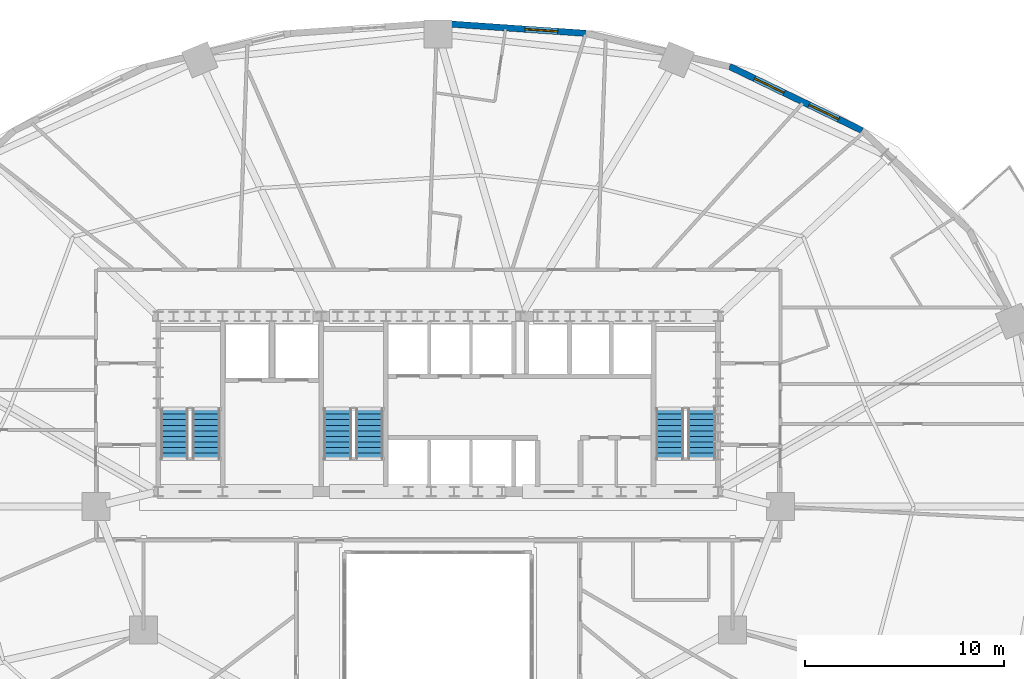
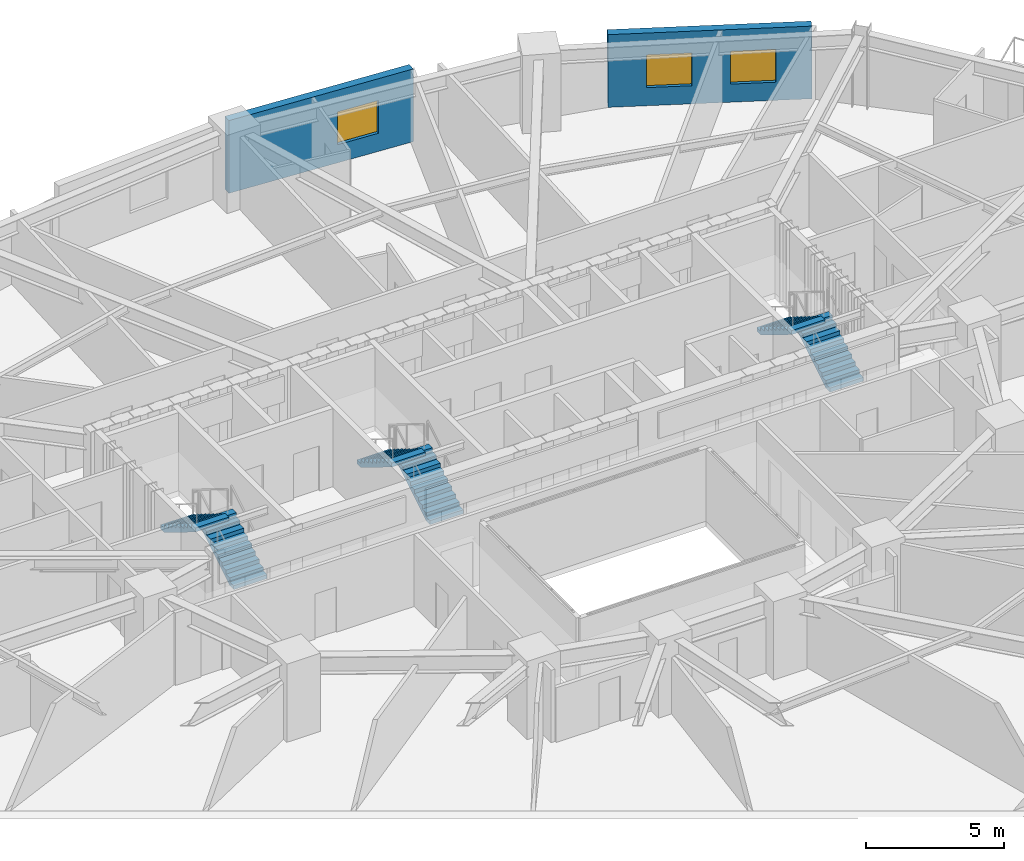
# One storey, part 14 of 18: 6 stair flights, 3 windows, 2 walls, 3 openings, 3 elements without a shape of their own.
"""IFC4 building model written with IfcOpenShell, lengths in metres."""

from ifc_helpers import new_model, si_unit, direction, frame, frame_2d, origin, place, context, subcontext, project, spatial, polyline, rectangle, outline, extrude, material, layer, layer_set, type_object, element, fill, aggregate, save


model = new_model("IFC4")

# Units and contexts
model_context = context("Model", 3, precision=1e-05, world=origin(), true_north=direction((0.0, 1.0)))
body_context = subcontext(model_context, "Body", "Model", "MODEL_VIEW")
ifc_project = project(units=[si_unit("LENGTHUNIT", "METRE"), si_unit("AREAUNIT", "SQUARE_METRE"), si_unit("VOLUMEUNIT", "CUBIC_METRE"), si_unit("PLANEANGLEUNIT", "RADIAN"), si_unit("MASSUNIT", "GRAM", prefix="KILO")], contexts=[model_context])

# Site, building, storey
site_placement = place(None, origin())
site = spatial("IfcSite", under=ifc_project, at=site_placement, CompositionType="ELEMENT")
building_placement = place(site_placement, origin())
building = spatial("IfcBuilding", under=site, at=building_placement, Name="Haldorwick Loom Tower", CompositionType="ELEMENT")
storey_placement = place(building_placement, frame((0.0, 0.0, 48.14990234375)))
storey = spatial("IfcBuildingStorey", under=building, at=storey_placement, Name="L12", CompositionType="ELEMENT", Elevation=48.14990234375)

# Wall, openings, windows
ifc_material_1 = material(Name="Pressed Clay Face Brick and Insulated Masonry Backup Assembly", Category="masonry")
ifc_layer = layer(ifc_material_1, 0.320068359375, Name="Pressed Clay Face Brick and Insulated Masonry Backup Assembly", Category="masonry")
ifc_layer_set = layer_set([ifc_layer], Name="Pressed Clay Face Brick and Insulated Masonry Backup Assembly")
wall_type = type_object("IfcWallType", Name="ARC-WL-EXT320", PredefinedType="STANDARD", material=ifc_layer_set)
wall_1_placement = place(storey_placement, frame((57.30419921875, 44.89599609375, 0.0), z_axis=(0.0, 0.0, 1.0), x_axis=(-0.900295710431, 0.435278800057, 0.0)))
wall_1 = element("IfcWall", 1, at=wall_1_placement, inside=storey, type_object=wall_type, Name="L12 Brick Pier and Spandrel Wall 4", PredefinedType="STANDARD", context=body_context, shape_type="SweptSolid", body=[
    extrude(rectangle(XDim=7.39697265625, YDim=0.320068359375, at=frame_2d((3.698486328125, 0.0))), origin(), (0.0, 0.0, 1.0), 3.210205078125),
])
opening_1_placement = place(wall_1_placement, frame((1.30517578125, 0.0, 0.800048828125)))
opening_1 = element("IfcOpeningElement", 2, at=opening_1_placement, cuts=wall_1, Name="Opening W-01B", PredefinedType="OPENING", context=body_context, shape_type="SweptSolid", body=[
    extrude(rectangle(XDim=1.64990234375, YDim=1.449951171875, at=frame_2d((0.824951171875, 0.72509765625))), frame((0.0, 0.169921875, 0.0), z_axis=(0.0, -1.0, 0.0), x_axis=(1.0, 0.0, 0.0)), (0.0, 0.0, 1.0), 0.340087890625),
])
opening_2_placement = place(wall_1_placement, frame((4.352783203125, 0.0, 0.800048828125)))
opening_2 = element("IfcOpeningElement", 3, at=opening_2_placement, cuts=wall_1, Name="Opening W-01B", PredefinedType="OPENING", context=body_context, shape_type="SweptSolid", body=[
    extrude(rectangle(XDim=1.64990234375, YDim=1.449951171875, at=frame_2d((0.824951171875, 0.72509765625))), frame((0.0, 0.169921875, 0.0), z_axis=(0.0, -1.0, 0.0), x_axis=(1.0, 0.0, 0.0)), (0.0, 0.0, 1.0), 0.340087890625),
])
ifc_material_2 = material(Name="Triple-Glazed Low-E Argon Insulated Glazing Unit", Category="glass")
window_type = type_object("IfcWindowType", Name="ARC-WIN-W165", PartitioningType="SINGLE_PANEL", PredefinedType="WINDOW", material=ifc_material_2)
window_1_placement = place(opening_1_placement, origin())
window_1 = element("IfcWindow", 4, at=window_1_placement, inside=storey, type_object=window_type, Name="L12 Deep-Set Zone 7A Window 4", OverallHeight=1.449951171875, OverallWidth=1.64990234375, PartitioningType="SINGLE_PANEL", PredefinedType="WINDOW", context=body_context, shape_type="SweptSolid", body=[
    extrude(rectangle(XDim=1.64990234375, YDim=1.449951171875, at=frame_2d((0.824951171875, 0.72509765625))), frame((0.0, 0.030029296875, 0.0), z_axis=(0.0, -1.0, 0.0), x_axis=(1.0, 0.0, 0.0)), (0.0, 0.0, 1.0), 0.06005859375),
])
fill(opening_1, window_1)
window_2_placement = place(opening_2_placement, origin())
window_2 = element("IfcWindow", 5, at=window_2_placement, inside=storey, type_object=window_type, Name="L12 Deep-Set Zone 7A Window 4", OverallHeight=1.449951171875, OverallWidth=1.64990234375, PartitioningType="SINGLE_PANEL", PredefinedType="WINDOW", context=body_context, shape_type="SweptSolid", body=[
    extrude(rectangle(XDim=1.64990234375, YDim=1.449951171875, at=frame_2d((0.824951171875, 0.72509765625))), frame((0.0, 0.030029296875, 0.0), z_axis=(0.0, -1.0, 0.0), x_axis=(1.0, 0.0, 0.0)), (0.0, 0.0, 1.0), 0.06005859375),
])
fill(opening_2, window_2)

# Wall, opening, window
wall_2_placement = place(storey_placement, frame((43.411376953125, 49.780517578125, 0.0), z_axis=(0.0, 0.0, 1.0), x_axis=(-0.997645161917, 0.068586667092, 0.0)))
wall_2 = element("IfcWall", 6, at=wall_2_placement, inside=storey, type_object=wall_type, Name="L12 Brick Pier and Spandrel Wall 6", PredefinedType="STANDARD", context=body_context, shape_type="SweptSolid", body=[
    extrude(rectangle(XDim=7.428955078125, YDim=0.320068359375, at=frame_2d((3.71435546875, 0.0))), origin(), (0.0, 0.0, 1.0), 3.210205078125),
])
opening_3_placement = place(wall_2_placement, frame((1.403564453125, 0.0, 0.800048828125)))
opening_3 = element("IfcOpeningElement", 7, at=opening_3_placement, cuts=wall_2, Name="Opening W-01B", PredefinedType="OPENING", context=body_context, shape_type="SweptSolid", body=[
    extrude(rectangle(XDim=1.64990234375, YDim=1.449951171875, at=frame_2d((0.824951171875, 0.72509765625))), frame((0.0, 0.169921875, 0.0), z_axis=(0.0, -1.0, 0.0), x_axis=(1.0, 0.0, 0.0)), (0.0, 0.0, 1.0), 0.340087890625),
])
window_3_placement = place(opening_3_placement, origin())
window_3 = element("IfcWindow", 8, at=window_3_placement, inside=storey, type_object=window_type, Name="L12 Deep-Set Zone 7A Window 6", OverallHeight=1.449951171875, OverallWidth=1.64990234375, PartitioningType="SINGLE_PANEL", PredefinedType="WINDOW", context=body_context, shape_type="SweptSolid", body=[
    extrude(rectangle(XDim=1.64990234375, YDim=1.449951171875, at=frame_2d((0.824951171875, 0.72509765625))), frame((0.0, 0.030029296875, 0.0), z_axis=(0.0, -1.0, 0.0), x_axis=(1.0, 0.0, 0.0)), (0.0, 0.0, 1.0), 0.06005859375),
])
fill(opening_3, window_3)

# Stair, stair flights
ifc_material_3 = material(Name="Concrete C40 (40 MPa)", Category="concrete")
stair_type = type_object("IfcStairType", Name="STR-STR-CORE", PredefinedType="HALF_TURN_STAIR", material=ifc_material_3)
stair_1_placement = place(storey_placement, origin())
stair_1 = element("IfcStair", 9, at=stair_1_placement, inside=storey, type_object=stair_type, Name="L12 Exit Stair ST-01", PredefinedType="HALF_TURN_STAIR")
stair_flight_type = type_object("IfcStairFlightType", Name="STR-STF-1250", PredefinedType="STRAIGHT", material=ifc_material_3)
stair_flight_1_placement = place(storey_placement, frame((24.35009765625, 28.39990234375, 0.0), z_axis=(0.0, 0.0, 1.0), x_axis=(0.0, 1.0, 0.0)))
stair_flight_1 = element("IfcStairFlight", 10, at=stair_flight_1_placement, type_object=stair_flight_type, Name="ST-01 flight 1", NumberOfRisers=10, NumberOfTreads=9, PredefinedType="STRAIGHT", RiserHeight=0.1725, TreadLength=0.28, context=body_context, shape_type="SweptSolid", body=[
    extrude(outline(polyline([(0.0, 0.0), (0.0, 0.172607421875), (0.280029296875, 0.172607421875), (0.280029296875, 0.344970703125), (0.56005859375, 0.344970703125), (0.56005859375, 0.517578125), (0.840087890625, 0.517578125), (0.840087890625, 0.68994140625), (1.1201171875, 0.68994140625), (1.1201171875, 0.862548828125), (1.39990234375, 0.862548828125), (1.39990234375, 1.034912109375), (1.679931640625, 1.034912109375), (1.679931640625, 1.20751953125), (1.9599609375, 1.20751953125), (1.9599609375, 1.3798828125), (2.239990234375, 1.3798828125), (2.239990234375, 1.552490234375), (2.52001953125, 1.552490234375), (2.52001953125, 1.72509765625), (2.52001953125, 1.37646484375), (0.285888671875, 0.0), (0.0, 0.0)])), frame((0.0, 0.699951171875, 0.0), z_axis=(0.0, -1.0, 0.0), x_axis=(1.0, 0.0, 0.0)), (0.0, 0.0, 1.0), 1.39990234375),
])
stair_flight_2_placement = place(storey_placement, frame((22.75, 30.919921875, 1.72509765625), z_axis=(0.0, 0.0, 1.0), x_axis=(0.0, -1.0, 0.0)))
stair_flight_2 = element("IfcStairFlight", 11, at=stair_flight_2_placement, type_object=stair_flight_type, Name="ST-01 flight 2", NumberOfRisers=10, NumberOfTreads=9, PredefinedType="STRAIGHT", RiserHeight=0.1725, TreadLength=0.28, context=body_context, shape_type="SweptSolid", body=[
    extrude(outline(polyline([(0.0, 0.0), (0.0, 0.172607421875), (0.280029296875, 0.172607421875), (0.280029296875, 0.344970703125), (0.56005859375, 0.344970703125), (0.56005859375, 0.517578125), (0.840087890625, 0.517578125), (0.840087890625, 0.68994140625), (1.1201171875, 0.68994140625), (1.1201171875, 0.862548828125), (1.39990234375, 0.862548828125), (1.39990234375, 1.034912109375), (1.679931640625, 1.034912109375), (1.679931640625, 1.20751953125), (1.9599609375, 1.20751953125), (1.9599609375, 1.3798828125), (2.239990234375, 1.3798828125), (2.239990234375, 1.552490234375), (2.52001953125, 1.552490234375), (2.52001953125, 1.72509765625), (2.52001953125, 1.37646484375), (0.285888671875, 0.0), (0.0, 0.0)])), frame((0.0, 0.699951171875, 0.0), z_axis=(0.0, -1.0, 0.0), x_axis=(1.0, 0.0, 0.0)), (0.0, 0.0, 1.0), 1.39990234375),
])
aggregate(stair_1, [stair_flight_1, stair_flight_2])

stair_2_placement = place(storey_placement, origin())
stair_2 = element("IfcStair", 12, at=stair_2_placement, inside=storey, type_object=stair_type, Name="L12 Exit Stair ST-02", PredefinedType="HALF_TURN_STAIR")
stair_flight_3_placement = place(storey_placement, frame((49.25, 28.39990234375, 0.0), z_axis=(0.0, 0.0, 1.0), x_axis=(0.0, 1.0, 0.0)))
stair_flight_3 = element("IfcStairFlight", 13, at=stair_flight_3_placement, type_object=stair_flight_type, Name="ST-02 flight 1", NumberOfRisers=10, NumberOfTreads=9, PredefinedType="STRAIGHT", RiserHeight=0.1725, TreadLength=0.28, context=body_context, shape_type="SweptSolid", body=[
    extrude(outline(polyline([(0.0, 0.0), (0.0, 0.172607421875), (0.280029296875, 0.172607421875), (0.280029296875, 0.344970703125), (0.56005859375, 0.344970703125), (0.56005859375, 0.517578125), (0.840087890625, 0.517578125), (0.840087890625, 0.68994140625), (1.1201171875, 0.68994140625), (1.1201171875, 0.862548828125), (1.39990234375, 0.862548828125), (1.39990234375, 1.034912109375), (1.679931640625, 1.034912109375), (1.679931640625, 1.20751953125), (1.9599609375, 1.20751953125), (1.9599609375, 1.3798828125), (2.239990234375, 1.3798828125), (2.239990234375, 1.552490234375), (2.52001953125, 1.552490234375), (2.52001953125, 1.72509765625), (2.52001953125, 1.37646484375), (0.285888671875, 0.0), (0.0, 0.0)])), frame((0.0, 0.699951171875, 0.0), z_axis=(0.0, -1.0, 0.0), x_axis=(1.0, 0.0, 0.0)), (0.0, 0.0, 1.0), 1.39990234375),
])
stair_flight_4_placement = place(storey_placement, frame((47.64990234375, 30.919921875, 1.72509765625), z_axis=(0.0, 0.0, 1.0), x_axis=(0.0, -1.0, 0.0)))
stair_flight_4 = element("IfcStairFlight", 14, at=stair_flight_4_placement, type_object=stair_flight_type, Name="ST-02 flight 2", NumberOfRisers=10, NumberOfTreads=9, PredefinedType="STRAIGHT", RiserHeight=0.1725, TreadLength=0.28, context=body_context, shape_type="SweptSolid", body=[
    extrude(outline(polyline([(0.0, 0.0), (0.0, 0.172607421875), (0.280029296875, 0.172607421875), (0.280029296875, 0.344970703125), (0.56005859375, 0.344970703125), (0.56005859375, 0.517578125), (0.840087890625, 0.517578125), (0.840087890625, 0.68994140625), (1.1201171875, 0.68994140625), (1.1201171875, 0.862548828125), (1.39990234375, 0.862548828125), (1.39990234375, 1.034912109375), (1.679931640625, 1.034912109375), (1.679931640625, 1.20751953125), (1.9599609375, 1.20751953125), (1.9599609375, 1.3798828125), (2.239990234375, 1.3798828125), (2.239990234375, 1.552490234375), (2.52001953125, 1.552490234375), (2.52001953125, 1.72509765625), (2.52001953125, 1.37646484375), (0.285888671875, 0.0), (0.0, 0.0)])), frame((0.0, 0.699951171875, 0.0), z_axis=(0.0, -1.0, 0.0), x_axis=(1.0, 0.0, 0.0)), (0.0, 0.0, 1.0), 1.39990234375),
])
aggregate(stair_2, [stair_flight_3, stair_flight_4])

stair_3_placement = place(storey_placement, origin())
stair_3 = element("IfcStair", 15, at=stair_3_placement, inside=storey, type_object=stair_type, Name="L12 Exit Stair ST-03", PredefinedType="HALF_TURN_STAIR")
stair_flight_5_placement = place(storey_placement, frame((32.550048828125, 28.39990234375, 0.0), z_axis=(0.0, 0.0, 1.0), x_axis=(0.0, 1.0, 0.0)))
stair_flight_5 = element("IfcStairFlight", 16, at=stair_flight_5_placement, type_object=stair_flight_type, Name="ST-03 flight 1", NumberOfRisers=10, NumberOfTreads=9, PredefinedType="STRAIGHT", RiserHeight=0.1725, TreadLength=0.28, context=body_context, shape_type="SweptSolid", body=[
    extrude(outline(polyline([(0.0, 0.0), (0.0, 0.172607421875), (0.280029296875, 0.172607421875), (0.280029296875, 0.344970703125), (0.56005859375, 0.344970703125), (0.56005859375, 0.517578125), (0.840087890625, 0.517578125), (0.840087890625, 0.68994140625), (1.1201171875, 0.68994140625), (1.1201171875, 0.862548828125), (1.39990234375, 0.862548828125), (1.39990234375, 1.034912109375), (1.679931640625, 1.034912109375), (1.679931640625, 1.20751953125), (1.9599609375, 1.20751953125), (1.9599609375, 1.3798828125), (2.239990234375, 1.3798828125), (2.239990234375, 1.552490234375), (2.52001953125, 1.552490234375), (2.52001953125, 1.72509765625), (2.52001953125, 1.37646484375), (0.285888671875, 0.0), (0.0, 0.0)])), frame((0.0, 0.699951171875, 0.0), z_axis=(0.0, -1.0, 0.0), x_axis=(1.0, 0.0, 0.0)), (0.0, 0.0, 1.0), 1.39990234375),
])
stair_flight_6_placement = place(storey_placement, frame((30.949951171875, 30.919921875, 1.72509765625), z_axis=(0.0, 0.0, 1.0), x_axis=(0.0, -1.0, 0.0)))
stair_flight_6 = element("IfcStairFlight", 17, at=stair_flight_6_placement, type_object=stair_flight_type, Name="ST-03 flight 2", NumberOfRisers=10, NumberOfTreads=9, PredefinedType="STRAIGHT", RiserHeight=0.1725, TreadLength=0.28, context=body_context, shape_type="SweptSolid", body=[
    extrude(outline(polyline([(0.0, 0.0), (0.0, 0.172607421875), (0.280029296875, 0.172607421875), (0.280029296875, 0.344970703125), (0.56005859375, 0.344970703125), (0.56005859375, 0.517578125), (0.840087890625, 0.517578125), (0.840087890625, 0.68994140625), (1.1201171875, 0.68994140625), (1.1201171875, 0.862548828125), (1.39990234375, 0.862548828125), (1.39990234375, 1.034912109375), (1.679931640625, 1.034912109375), (1.679931640625, 1.20751953125), (1.9599609375, 1.20751953125), (1.9599609375, 1.3798828125), (2.239990234375, 1.3798828125), (2.239990234375, 1.552490234375), (2.52001953125, 1.552490234375), (2.52001953125, 1.72509765625), (2.52001953125, 1.37646484375), (0.285888671875, 0.0), (0.0, 0.0)])), frame((0.0, 0.699951171875, 0.0), z_axis=(0.0, -1.0, 0.0), x_axis=(1.0, 0.0, 0.0)), (0.0, 0.0, 1.0), 1.39990234375),
])
aggregate(stair_3, [stair_flight_5, stair_flight_6])

save(model, "model.ifc")
